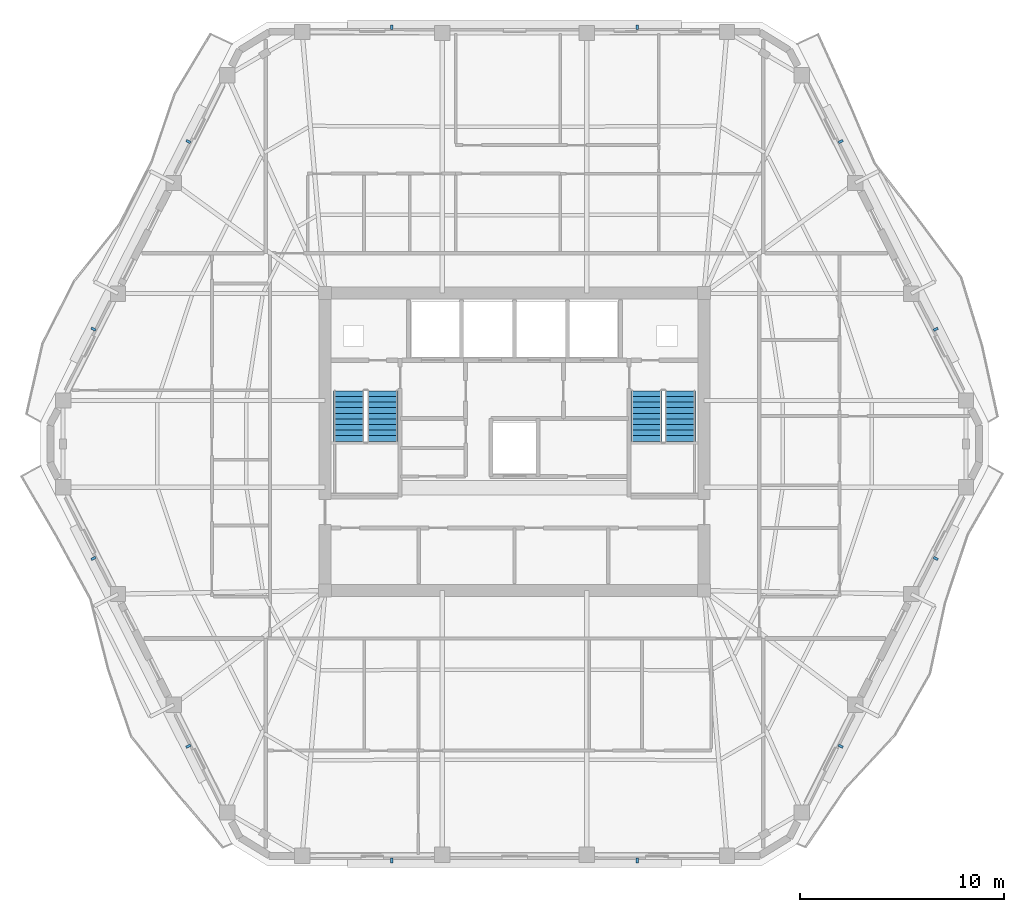
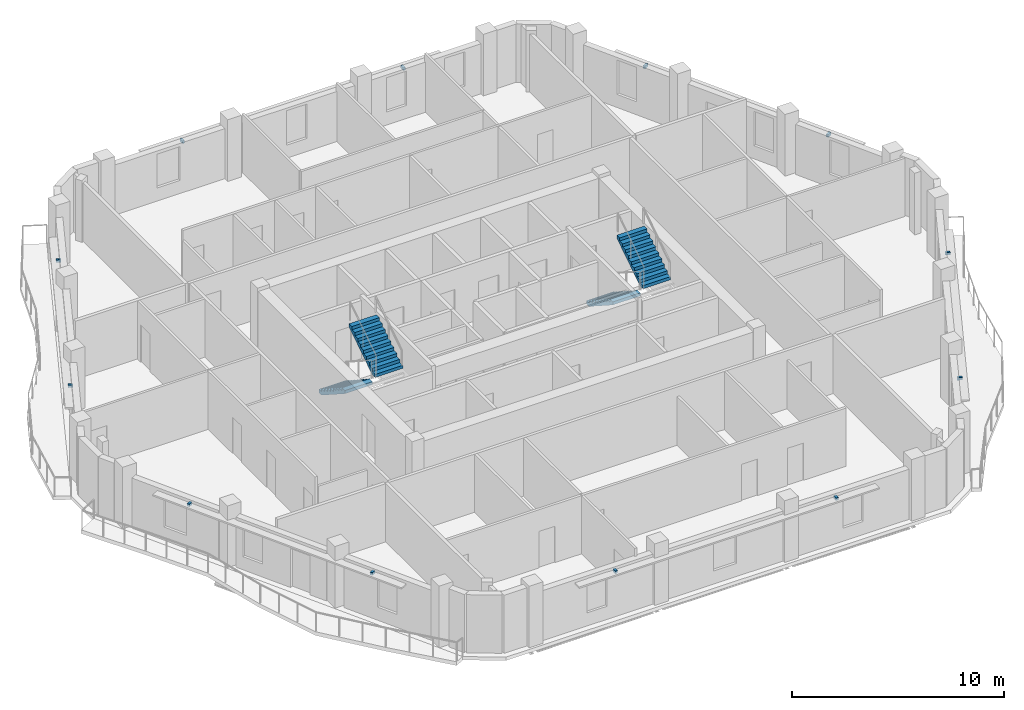
# One storey, part 8 of 12: 12 discrete accessories, 4 stair flights, 2 elements without a shape of their own.
"""IFC4 building model written with IfcOpenShell, lengths in metres."""

from ifc_helpers import new_model, si_unit, direction, frame, origin, origin_2d, place, context, subcontext, project, spatial, polyline, rectangle, outline, extrude, material, type_object, element, aggregate, save


model = new_model("IFC4")

# Units and contexts
model_context = context("Model", 3, precision=1e-05, world=origin(), true_north=direction((0.0, 1.0)))
body_context = subcontext(model_context, "Body", "Model", "MODEL_VIEW")
ifc_project = project(units=[si_unit("LENGTHUNIT", "METRE"), si_unit("AREAUNIT", "SQUARE_METRE"), si_unit("VOLUMEUNIT", "CUBIC_METRE"), si_unit("PLANEANGLEUNIT", "RADIAN"), si_unit("MASSUNIT", "GRAM", prefix="KILO")], contexts=[model_context])

# Site, building, storey
site_placement = place(None, origin())
site = spatial("IfcSite", under=ifc_project, at=site_placement, CompositionType="ELEMENT")
building_placement = place(site_placement, origin())
building = spatial("IfcBuilding", under=site, at=building_placement, Name="Cinnabar Lancet Tower", CompositionType="ELEMENT")
storey_placement = place(building_placement, frame((0.0, 0.0, 210.949951171875)))
storey = spatial("IfcBuildingStorey", under=building, at=storey_placement, Name="L56", CompositionType="ELEMENT", Elevation=210.949951171875)

# Stair, stair flights
ifc_material_1 = material(Name="Concrete C40/50", Category="concrete")
stair_type = type_object("IfcStairType", Name="ST-CORE", PredefinedType="HALF_TURN_STAIR", material=ifc_material_1)
stair_1_placement = place(storey_placement, origin())
stair_1 = element("IfcStair", 1, at=stair_1_placement, inside=storey, type_object=stair_type, Name="L56 ST-1", PredefinedType="HALF_TURN_STAIR")
ifc_material_2 = material(Name="Concrete C40/50", Category="concrete")
stair_flight_type = type_object("IfcStairFlightType", Name="FLIGHT-CORE", PredefinedType="STRAIGHT", material=ifc_material_2)
stair_flight_1_placement = place(storey_placement, frame((24.27490234375, 28.39990234375, 0.0), z_axis=(0.0, 0.0, 1.0), x_axis=(0.0, -1.0, 0.0)))
stair_flight_1 = element("IfcStairFlight", 2, at=stair_flight_1_placement, type_object=stair_flight_type, Name="ST-1 flight 1", NumberOfRisers=10, NumberOfTreads=9, PredefinedType="STRAIGHT", RiserHeight=0.1775, TreadLength=0.275, context=body_context, shape_type="SweptSolid", body=[
    extrude(outline(polyline([(0.0, 0.0), (0.0, 0.177490234375), (0.27490234375, 0.177490234375), (0.27490234375, 0.35498046875), (0.550048828125, 0.35498046875), (0.550048828125, 0.532470703125), (0.824951171875, 0.532470703125), (0.824951171875, 0.7099609375), (1.10009765625, 0.7099609375), (1.10009765625, 0.887451171875), (1.375, 0.887451171875), (1.375, 1.06494140625), (1.64990234375, 1.06494140625), (1.64990234375, 1.242431640625), (1.925048828125, 1.242431640625), (1.925048828125, 1.419921875), (2.199951171875, 1.419921875), (2.199951171875, 1.597412109375), (2.47509765625, 1.597412109375), (2.47509765625, 1.77490234375), (2.47509765625, 1.419189453125), (0.2763671875, 0.0), (0.0, 0.0)])), frame((0.0, 0.75, 0.0), z_axis=(0.0, -1.0, 0.0), x_axis=(1.0, 0.0, 0.0)), (0.0, 0.0, 1.0), 1.5),
])
stair_flight_2_placement = place(storey_placement, frame((25.925048828125, 25.925048828125, 1.775146484375), z_axis=(0.0, 0.0, 1.0), x_axis=(0.0, 1.0, 0.0)))
stair_flight_2 = element("IfcStairFlight", 3, at=stair_flight_2_placement, type_object=stair_flight_type, Name="ST-1 flight 2", NumberOfRisers=10, NumberOfTreads=9, PredefinedType="STRAIGHT", RiserHeight=0.1775, TreadLength=0.275, context=body_context, shape_type="SweptSolid", body=[
    extrude(outline(polyline([(0.0, 0.0), (0.0, 0.177490234375), (0.27490234375, 0.177490234375), (0.27490234375, 0.35498046875), (0.550048828125, 0.35498046875), (0.550048828125, 0.532470703125), (0.824951171875, 0.532470703125), (0.824951171875, 0.7099609375), (1.10009765625, 0.7099609375), (1.10009765625, 0.887451171875), (1.375, 0.887451171875), (1.375, 1.06494140625), (1.64990234375, 1.06494140625), (1.64990234375, 1.242431640625), (1.925048828125, 1.242431640625), (1.925048828125, 1.419921875), (2.199951171875, 1.419921875), (2.199951171875, 1.597412109375), (2.47509765625, 1.597412109375), (2.47509765625, 1.77490234375), (2.47509765625, 1.419189453125), (0.2763671875, 0.0), (0.0, 0.0)])), frame((0.0, 0.75, 0.0), z_axis=(0.0, -1.0, 0.0), x_axis=(1.0, 0.0, 0.0)), (0.0, 0.0, 1.0), 1.5),
])
aggregate(stair_1, [stair_flight_1, stair_flight_2])

stair_2_placement = place(storey_placement, origin())
stair_2 = element("IfcStair", 4, at=stair_2_placement, inside=storey, type_object=stair_type, Name="L56 ST-2", PredefinedType="HALF_TURN_STAIR")
stair_flight_3_placement = place(storey_placement, frame((38.875, 28.39990234375, 0.0), z_axis=(0.0, 0.0, 1.0), x_axis=(0.0, -1.0, 0.0)))
stair_flight_3 = element("IfcStairFlight", 5, at=stair_flight_3_placement, type_object=stair_flight_type, Name="ST-2 flight 1", NumberOfRisers=10, NumberOfTreads=9, PredefinedType="STRAIGHT", RiserHeight=0.1775, TreadLength=0.275, context=body_context, shape_type="SweptSolid", body=[
    extrude(outline(polyline([(0.0, 0.0), (0.0, 0.177490234375), (0.27490234375, 0.177490234375), (0.27490234375, 0.35498046875), (0.550048828125, 0.35498046875), (0.550048828125, 0.532470703125), (0.824951171875, 0.532470703125), (0.824951171875, 0.7099609375), (1.10009765625, 0.7099609375), (1.10009765625, 0.887451171875), (1.375, 0.887451171875), (1.375, 1.06494140625), (1.64990234375, 1.06494140625), (1.64990234375, 1.242431640625), (1.925048828125, 1.242431640625), (1.925048828125, 1.419921875), (2.199951171875, 1.419921875), (2.199951171875, 1.597412109375), (2.47509765625, 1.597412109375), (2.47509765625, 1.77490234375), (2.47509765625, 1.419189453125), (0.2763671875, 0.0), (0.0, 0.0)])), frame((0.0, 0.75, 0.0), z_axis=(0.0, -1.0, 0.0), x_axis=(1.0, 0.0, 0.0)), (0.0, 0.0, 1.0), 1.5),
])
stair_flight_4_placement = place(storey_placement, frame((40.52490234375, 25.925048828125, 1.775146484375), z_axis=(0.0, 0.0, 1.0), x_axis=(0.0, 1.0, 0.0)))
stair_flight_4 = element("IfcStairFlight", 6, at=stair_flight_4_placement, type_object=stair_flight_type, Name="ST-2 flight 2", NumberOfRisers=10, NumberOfTreads=9, PredefinedType="STRAIGHT", RiserHeight=0.1775, TreadLength=0.275, context=body_context, shape_type="SweptSolid", body=[
    extrude(outline(polyline([(0.0, 0.0), (0.0, 0.177490234375), (0.27490234375, 0.177490234375), (0.27490234375, 0.35498046875), (0.550048828125, 0.35498046875), (0.550048828125, 0.532470703125), (0.824951171875, 0.532470703125), (0.824951171875, 0.7099609375), (1.10009765625, 0.7099609375), (1.10009765625, 0.887451171875), (1.375, 0.887451171875), (1.375, 1.06494140625), (1.64990234375, 1.06494140625), (1.64990234375, 1.242431640625), (1.925048828125, 1.242431640625), (1.925048828125, 1.419921875), (2.199951171875, 1.419921875), (2.199951171875, 1.597412109375), (2.47509765625, 1.597412109375), (2.47509765625, 1.77490234375), (2.47509765625, 1.419189453125), (0.2763671875, 0.0), (0.0, 0.0)])), frame((0.0, 0.75, 0.0), z_axis=(0.0, -1.0, 0.0), x_axis=(1.0, 0.0, 0.0)), (0.0, 0.0, 1.0), 1.5),
])
aggregate(stair_2, [stair_flight_3, stair_flight_4])

# Discrete accessories
ifc_material_3 = material(Name="Stainless steel 316 facade fixing bracket", Category="steel")
discrete_accessory_type = type_object("IfcDiscreteAccessoryType", Name="ENV-ACC-BRK-180", PredefinedType="BRACKET", material=ifc_material_3)
for number, where, z_axis, x_axis, name in (
    (7, (26.381103515625, 5.360107421875, 2.60009765625), (0.0, 0.0, 1.0), (1.0, 0.0, 0.0), "L56 Face 1 Sunshade Bracket A"),
    (8, (38.4189453125, 5.360107421875, 2.60009765625), (0.0, 0.0, 1.0), (1.0, 0.0, 0.0), "L56 Face 1 Sunshade Bracket B"),
    (9, (48.403076171875, 10.965087890625, 2.60009765625), (0.0, 0.0, 1.0), (0.45140713236, 0.892318105193, 0.0), "L56 Face 2 Sunshade Bracket A"),
    (10, (53.06201171875, 20.174072265625, 2.60009765625), (0.0, 0.0, 1.0), (0.45140713236, 0.892318105193, 0.0), "L56 Face 2 Sunshade Bracket B"),
    (11, (53.06201171875, 31.426025390625, 2.60009765625), (0.0, 0.0, 1.0), (-0.45140713236, 0.892318105193, 0.0), "L56 Face 3 Sunshade Bracket A"),
    (12, (48.403076171875, 40.635009765625, 2.60009765625), (0.0, 0.0, 1.0), (-0.45140713236, 0.892318105193, 0.0), "L56 Face 3 Sunshade Bracket B"),
    (13, (38.4189453125, 46.239990234375, 2.60009765625), (0.0, 0.0, 1.0), (-1.0, 0.0, 0.0), "L56 Face 4 Sunshade Bracket A"),
    (14, (26.381103515625, 46.239990234375, 2.60009765625), (0.0, 0.0, 1.0), (-1.0, 0.0, 0.0), "L56 Face 4 Sunshade Bracket B"),
    (15, (16.39697265625, 40.635009765625, 2.60009765625), (0.0, 0.0, 1.0), (-0.45140713236, -0.892318105193, 0.0), "L56 Face 5 Sunshade Bracket A"),
    (16, (11.738037109375, 31.426025390625, 2.60009765625), (0.0, 0.0, 1.0), (-0.45140713236, -0.892318105193, 0.0), "L56 Face 5 Sunshade Bracket B"),
    (17, (11.738037109375, 20.174072265625, 2.60009765625), (0.0, 0.0, 1.0), (0.45140713236, -0.892318105193, 0.0), "L56 Face 6 Sunshade Bracket A"),
    (18, (16.39697265625, 10.965087890625, 2.60009765625), (0.0, 0.0, 1.0), (0.45140713236, -0.892318105193, 0.0), "L56 Face 6 Sunshade Bracket B"),
):
    element("IfcDiscreteAccessory", number, at=place(storey_placement, frame(where, z_axis=z_axis, x_axis=x_axis)), inside=storey, type_object=discrete_accessory_type, Name=name, PredefinedType="BRACKET", context=body_context, shape_type="SweptSolid", body=[
        extrude(rectangle(XDim=0.1201171875, YDim=0.239990234375, at=origin_2d()), origin(), (0.0, 0.0, 1.0), 0.159912109375),
    ])

save(model, "model.ifc")
